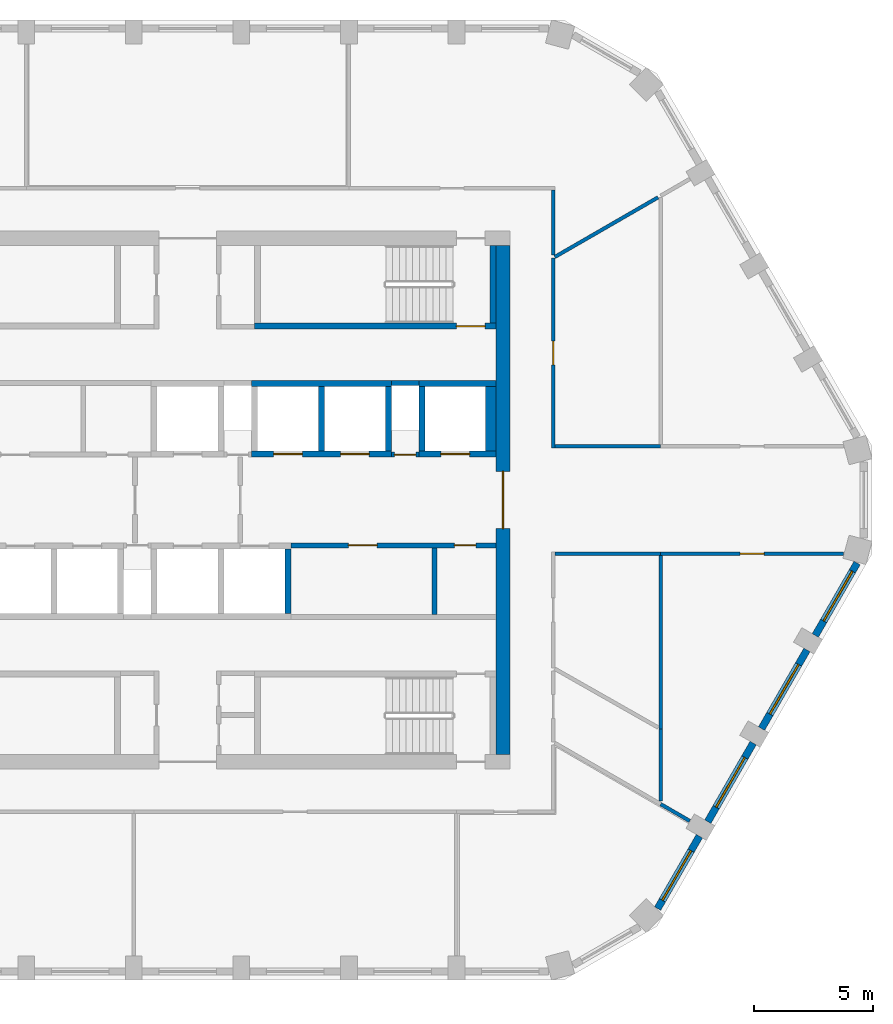
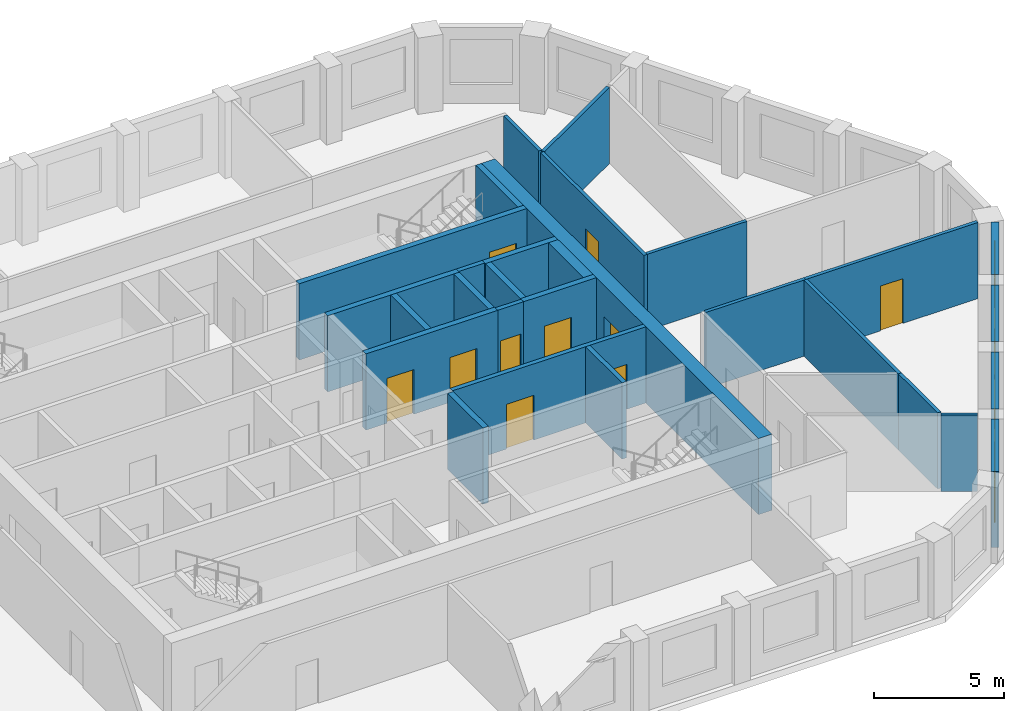
# One storey, part 5 of 10: 29 walls, 10 doors, 4 windows, 14 openings.
"""IFC4 building model written with IfcOpenShell, lengths in metres."""

from ifc_helpers import new_model, si_unit, direction, frame, frame_2d, origin, place, context, subcontext, project, spatial, polyline, rectangle, outline, extrude, material, layer, layer_set, type_object, element, fill, save


model = new_model("IFC4")

# Units and contexts
model_context = context("Model", 3, precision=1e-05, world=origin(), true_north=direction((0.0, 1.0)))
body_context = subcontext(model_context, "Body", "Model", "MODEL_VIEW")
ifc_project = project(units=[si_unit("LENGTHUNIT", "METRE"), si_unit("AREAUNIT", "SQUARE_METRE"), si_unit("VOLUMEUNIT", "CUBIC_METRE"), si_unit("PLANEANGLEUNIT", "RADIAN"), si_unit("MASSUNIT", "GRAM", prefix="KILO")], contexts=[model_context])

# Site, building, storey
site_placement = place(None, origin())
site = spatial("IfcSite", under=ifc_project, at=site_placement, CompositionType="ELEMENT")
building_placement = place(site_placement, origin())
building = spatial("IfcBuilding", under=site, at=building_placement, Name="Dhurran Vertical Campus", CompositionType="ELEMENT")
storey_placement = place(building_placement, frame((0.0, 0.0, 246.89990234375)))
storey = spatial("IfcBuildingStorey", under=building, at=storey_placement, Name="L61", CompositionType="ELEMENT", Elevation=246.89990234375)

# Wall, opening, window
ifc_material_1 = material(Name="Precast concrete C50/60", Category="concrete")
ifc_layer_1 = layer(ifc_material_1, 0.300048828125)
ifc_layer_set_1 = layer_set([ifc_layer_1], Name="Precast concrete C50/60")
wall_type_1 = type_object("IfcWallType", Name="Precast spandrel wall 300", PredefinedType="SOLIDWALL", material=ifc_layer_set_1)
wall_1_placement = place(storey_placement, frame((19.669921875, -17.09912109375, 0.0), z_axis=(0.0, 0.0, 1.0), x_axis=(0.499960102815, 0.866048437209, 0.0)))
wall_1 = element("IfcWall", 1, at=wall_1_placement, inside=storey, type_object=wall_type_1, Name="EW1 L61.08", PredefinedType="SOLIDWALL", context=body_context, shape_type="SweptSolid", body=[
    extrude(rectangle(XDim=3.497802734375, YDim=0.300048828125, at=frame_2d((1.7490234375, 0.0))), origin(), (0.0, 0.0, 1.0), 3.5751953125),
])
opening_1_placement = place(wall_1_placement, frame((0.398193359375, 0.0, 0.89990234375)))
opening_1 = element("IfcOpeningElement", 2, at=opening_1_placement, cuts=wall_1, Name="Opening WT1", PredefinedType="OPENING", context=body_context, shape_type="SweptSolid", body=[
    extrude(rectangle(XDim=2.39990234375, YDim=2.10009765625, at=frame_2d((1.199951171875, 1.050048828125))), frame((0.0, 0.159912109375, 0.0), z_axis=(0.0, -1.0, 0.0), x_axis=(1.0, 0.0, 0.0)), (0.0, 0.0, 1.0), 0.320068359375),
])
ifc_material_2 = material(Name="Aluminium frame with solar-control glass", Category="aluminium")
window_type = type_object("IfcWindowType", Name="Punched window 2400 x 2100", PartitioningType="SINGLE_PANEL", PredefinedType="WINDOW", material=ifc_material_2)
window_1_placement = place(opening_1_placement, origin())
window_1 = element("IfcWindow", 3, at=window_1_placement, inside=storey, type_object=window_type, Name="WT1 L61.08", OverallHeight=2.10009765625, OverallWidth=2.39990234375, PartitioningType="SINGLE_PANEL", PredefinedType="WINDOW", context=body_context, shape_type="SweptSolid", body=[
    extrude(rectangle(XDim=2.39990234375, YDim=2.10009765625, at=frame_2d((1.199951171875, 1.050048828125))), frame((0.0, 0.030029296875, 0.0), z_axis=(0.0, -1.0, 0.0), x_axis=(1.0, 0.0, 0.0)), (0.0, 0.0, 1.0), 0.06005859375),
])
fill(opening_1, window_1)

wall_2_placement = place(storey_placement, frame((21.769287109375, -13.462890625, 0.0), z_axis=(0.0, 0.0, 1.0), x_axis=(0.499982058975, 0.866035761792, 0.0)))
wall_2 = element("IfcWall", 4, at=wall_2_placement, inside=storey, type_object=wall_type_1, Name="EW1 L61.09", PredefinedType="SOLIDWALL", context=body_context, shape_type="SweptSolid", body=[
    extrude(rectangle(XDim=3.799072265625, YDim=0.300048828125, at=frame_2d((1.8994140625, 0.0))), origin(), (0.0, 0.0, 1.0), 3.5751953125),
])
opening_2_placement = place(wall_2_placement, frame((0.699462890625, 0.0, 0.89990234375)))
opening_2 = element("IfcOpeningElement", 5, at=opening_2_placement, cuts=wall_2, Name="Opening WT1", PredefinedType="OPENING", context=body_context, shape_type="SweptSolid", body=[
    extrude(rectangle(XDim=2.39990234375, YDim=2.10009765625, at=frame_2d((1.199951171875, 1.050048828125))), frame((0.0, 0.159912109375, 0.0), z_axis=(0.0, -1.0, 0.0), x_axis=(1.0, 0.0, 0.0)), (0.0, 0.0, 1.0), 0.320068359375),
])
window_2_placement = place(opening_2_placement, origin())
window_2 = element("IfcWindow", 6, at=window_2_placement, inside=storey, type_object=window_type, Name="WT1 L61.09", OverallHeight=2.10009765625, OverallWidth=2.39990234375, PartitioningType="SINGLE_PANEL", PredefinedType="WINDOW", context=body_context, shape_type="SweptSolid", body=[
    extrude(rectangle(XDim=2.39990234375, YDim=2.10009765625, at=frame_2d((1.199951171875, 1.050048828125))), frame((0.0, 0.030029296875, 0.0), z_axis=(0.0, -1.0, 0.0), x_axis=(1.0, 0.0, 0.0)), (0.0, 0.0, 1.0), 0.06005859375),
])
fill(opening_2, window_2)

wall_3_placement = place(storey_placement, frame((24.019287109375, -9.565673828125, 0.0), z_axis=(0.0, 0.0, 1.0), x_axis=(0.499982058975, 0.866035761792, 0.0)))
wall_3 = element("IfcWall", 7, at=wall_3_placement, inside=storey, type_object=wall_type_1, Name="EW1 L61.10", PredefinedType="SOLIDWALL", context=body_context, shape_type="SweptSolid", body=[
    extrude(rectangle(XDim=3.799072265625, YDim=0.300048828125, at=frame_2d((1.8994140625, 0.0))), origin(), (0.0, 0.0, 1.0), 3.5751953125),
])
opening_3_placement = place(wall_3_placement, frame((0.699462890625, 0.0, 0.89990234375)))
opening_3 = element("IfcOpeningElement", 8, at=opening_3_placement, cuts=wall_3, Name="Opening WT1", PredefinedType="OPENING", context=body_context, shape_type="SweptSolid", body=[
    extrude(rectangle(XDim=2.39990234375, YDim=2.10009765625, at=frame_2d((1.199951171875, 1.050048828125))), frame((0.0, 0.159912109375, 0.0), z_axis=(0.0, -1.0, 0.0), x_axis=(1.0, 0.0, 0.0)), (0.0, 0.0, 1.0), 0.320068359375),
])
window_3_placement = place(opening_3_placement, origin())
window_3 = element("IfcWindow", 9, at=window_3_placement, inside=storey, type_object=window_type, Name="WT1 L61.10", OverallHeight=2.10009765625, OverallWidth=2.39990234375, PartitioningType="SINGLE_PANEL", PredefinedType="WINDOW", context=body_context, shape_type="SweptSolid", body=[
    extrude(rectangle(XDim=2.39990234375, YDim=2.10009765625, at=frame_2d((1.199951171875, 1.050048828125))), frame((0.0, 0.030029296875, 0.0), z_axis=(0.0, -1.0, 0.0), x_axis=(1.0, 0.0, 0.0)), (0.0, 0.0, 1.0), 0.06005859375),
])
fill(opening_3, window_3)

wall_4_placement = place(storey_placement, frame((26.269287109375, -5.668701171875, 0.0), z_axis=(0.0, 0.0, 1.0), x_axis=(0.499990325971, 0.866030989016, 0.0)))
wall_4 = element("IfcWall", 10, at=wall_4_placement, inside=storey, type_object=wall_type_1, Name="EW1 L61.11", PredefinedType="SOLIDWALL", context=body_context, shape_type="SweptSolid", body=[
    extrude(rectangle(XDim=3.49755859375, YDim=0.300048828125, at=frame_2d((1.748779296875, 0.0))), origin(), (0.0, 0.0, 1.0), 3.5751953125),
])
opening_4_placement = place(wall_4_placement, frame((0.699462890625, 0.0, 0.89990234375)))
opening_4 = element("IfcOpeningElement", 11, at=opening_4_placement, cuts=wall_4, Name="Opening WT1", PredefinedType="OPENING", context=body_context, shape_type="SweptSolid", body=[
    extrude(rectangle(XDim=2.39990234375, YDim=2.10009765625, at=frame_2d((1.199951171875, 1.050048828125))), frame((0.0, 0.159912109375, 0.0), z_axis=(0.0, -1.0, 0.0), x_axis=(1.0, 0.0, 0.0)), (0.0, 0.0, 1.0), 0.320068359375),
])
window_4_placement = place(opening_4_placement, origin())
window_4 = element("IfcWindow", 12, at=window_4_placement, inside=storey, type_object=window_type, Name="WT1 L61.11", OverallHeight=2.10009765625, OverallWidth=2.39990234375, PartitioningType="SINGLE_PANEL", PredefinedType="WINDOW", context=body_context, shape_type="SweptSolid", body=[
    extrude(rectangle(XDim=2.39990234375, YDim=2.10009765625, at=frame_2d((1.199951171875, 1.050048828125))), frame((0.0, 0.030029296875, 0.0), z_axis=(0.0, -1.0, 0.0), x_axis=(1.0, 0.0, 0.0)), (0.0, 0.0, 1.0), 0.06005859375),
])
fill(opening_4, window_4)

# Wall, opening, door
ifc_material_3 = material(Name="Concrete C50/60", Category="concrete")
ifc_layer_2 = layer(ifc_material_3, 0.60009765625)
ifc_layer_set_2 = layer_set([ifc_layer_2], Name="Concrete C50/60")
wall_type_2 = type_object("IfcWallType", Name="co-CORE-WALL-C2-600", PredefinedType="SHEAR", material=ifc_layer_set_2)
wall_5_placement = place(storey_placement, frame((13.199951171875, -10.64990234375, 0.0), z_axis=(0.0, 0.0, 1.0), x_axis=(0.0, 1.0, 0.0)))
wall_5 = element("IfcWall", 13, at=wall_5_placement, inside=storey, type_object=wall_type_2, Name="Core wall E L61", PredefinedType="SHEAR", context=body_context, shape_type="SweptSolid", body=[
    extrude(rectangle(XDim=21.2998046875, YDim=0.60009765625, at=frame_2d((10.64990234375, 0.0))), origin(), (0.0, 0.0, 1.0), 3.5751953125),
])
opening_5_placement = place(wall_5_placement, frame((9.449951171875, 0.0, 0.0)))
opening_5 = element("IfcOpeningElement", 14, at=opening_5_placement, cuts=wall_5, Name="Opening CL2", PredefinedType="OPENING", context=body_context, shape_type="SweptSolid", body=[
    extrude(rectangle(XDim=2.39990234375, YDim=2.10009765625, at=frame_2d((1.199951171875, 1.050048828125))), frame((0.0, 0.31005859375, 0.0), z_axis=(0.0, -1.0, 0.0), x_axis=(1.0, 0.0, 0.0)), (0.0, 0.0, 1.0), 0.6201171875),
])
ifc_material_4 = material(Name="Fire-rated glazed door set")
door_type_1 = type_object("IfcDoorType", Name="co-D-LOBBY 2400x2100", OperationType="DOUBLE_DOOR_DOUBLE_SWING", PredefinedType="DOOR", material=ifc_material_4)
door_1_placement = place(opening_5_placement, origin())
door_1 = element("IfcDoor", 15, at=door_1_placement, inside=storey, type_object=door_type_1, Name="Lift lobby door E L61", OperationType="DOUBLE_DOOR_DOUBLE_SWING", OverallHeight=2.10009765625, OverallWidth=2.39990234375, PredefinedType="DOOR", context=body_context, shape_type="SweptSolid", body=[
    extrude(rectangle(XDim=2.39990234375, YDim=2.10009765625, at=frame_2d((1.199951171875, 1.050048828125))), frame((0.0, 0.02490234375, 0.0), z_axis=(0.0, -1.0, 0.0), x_axis=(1.0, 0.0, 0.0)), (0.0, 0.0, 1.0), 0.050048828125),
])
fill(opening_5, door_1)

ifc_material_5 = material(Name="Fire-rated masonry blockwork", Category="masonry")
ifc_layer_3 = layer(ifc_material_5, 0.199951171875)
ifc_layer_set_3 = layer_set([ifc_layer_3], Name="Fire-rated masonry blockwork")
wall_type_3 = type_object("IfcWallType", Name="co-FIRE-PARTITION-200", PredefinedType="PARTITIONING", material=ifc_layer_set_3)
wall_6_placement = place(storey_placement, frame((8.52490234375, 1.89990234375, 0.0), z_axis=(0.0, 0.0, 1.0), x_axis=(1.0, 0.0, 0.0)))
wall_6 = element("IfcWall", 16, at=wall_6_placement, inside=storey, type_object=wall_type_3, Name="Core partition fr-N2-f L61", PredefinedType="PARTITIONING", context=body_context, shape_type="SweptSolid", body=[
    extrude(rectangle(XDim=1.150146484375, YDim=0.199951171875, at=frame_2d((0.5751953125, 0.0))), origin(), (0.0, 0.0, 1.0), 3.5751953125),
])
opening_6_placement = place(wall_6_placement, frame((0.125, 0.0, 0.0)))
opening_6 = element("IfcOpeningElement", 17, at=opening_6_placement, cuts=wall_6, Name="Opening T18-C10", PredefinedType="OPENING", context=body_context, shape_type="SweptSolid", body=[
    extrude(rectangle(XDim=0.89990234375, YDim=2.10009765625, at=frame_2d((0.449951171875, 1.050048828125))), frame((0.0, 0.10986328125, 0.0), z_axis=(0.0, -1.0, 0.0), x_axis=(1.0, 0.0, 0.0)), (0.0, 0.0, 1.0), 0.219970703125),
])
ifc_material_6 = material(Name="Fire-rated timber door set", Category="wood")
door_type_2 = type_object("IfcDoorType", Name="co-D-ROOM 900x2100", OperationType="SINGLE_SWING_LEFT", PredefinedType="DOOR", material=ifc_material_6)
door_2_placement = place(opening_6_placement, origin())
door_2 = element("IfcDoor", 18, at=door_2_placement, inside=storey, type_object=door_type_2, Name="Electrical riser door L61", OperationType="SINGLE_SWING_LEFT", OverallHeight=2.10009765625, OverallWidth=0.89990234375, PredefinedType="DOOR", context=body_context, shape_type="SweptSolid", body=[
    extrude(rectangle(XDim=0.89990234375, YDim=2.10009765625, at=frame_2d((0.449951171875, 1.050048828125))), frame((0.0, 0.02490234375, 0.0), z_axis=(0.0, -1.0, 0.0), x_axis=(1.0, 0.0, 0.0)), (0.0, 0.0, 1.0), 0.050048828125),
])
fill(opening_6, door_2)

# Walls
wall_7_placement = place(storey_placement, frame((8.52490234375, 4.89990234375, 0.0), z_axis=(0.0, 0.0, 1.0), x_axis=(1.0, 0.0, 0.0)))
element("IfcWall", 19, at=wall_7_placement, inside=storey, type_object=wall_type_3, Name="Core partition fr-N2-b L61", PredefinedType="PARTITIONING", context=body_context, shape_type="SweptSolid", body=[
    extrude(rectangle(XDim=1.150146484375, YDim=0.199951171875, at=frame_2d((0.5751953125, 0.0))), origin(), (0.0, 0.0, 1.0), 3.5751953125),
])
wall_8_placement = place(storey_placement, frame((10.327392578125, -4.800048828125, 0.0), z_axis=(0.0, 0.0, 1.0), x_axis=(0.0, 1.0, 0.0)))
element("IfcWall", 20, at=wall_8_placement, inside=storey, type_object=wall_type_3, Name="Core partition fr-S2-cut0 L61", PredefinedType="PARTITIONING", context=body_context, shape_type="SweptSolid", body=[
    extrude(rectangle(XDim=2.800048828125, YDim=0.199951171875, at=frame_2d((1.39990234375, 0.0))), origin(), (0.0, 0.0, 1.0), 3.5751953125),
])

# Wall, openings, doors
wall_9_placement = place(storey_placement, frame((4.324951171875, -1.89990234375, 0.0), z_axis=(0.0, 0.0, 1.0), x_axis=(1.0, 0.0, 0.0)))
wall_9 = element("IfcWall", 21, at=wall_9_placement, inside=storey, type_object=wall_type_3, Name="Core partition fr-S2-f L61", PredefinedType="PARTITIONING", context=body_context, shape_type="SweptSolid", body=[
    extrude(rectangle(XDim=8.574951171875, YDim=0.199951171875, at=frame_2d((4.28759765625, 0.0))), origin(), (0.0, 0.0, 1.0), 3.5751953125),
])
opening_7_placement = place(wall_9_placement, frame((2.4013671875, 0.0, 0.0)))
opening_7 = element("IfcOpeningElement", 22, at=opening_7_placement, cuts=wall_9, Name="Opening T18-C13", PredefinedType="OPENING", context=body_context, shape_type="SweptSolid", body=[
    extrude(rectangle(XDim=1.199951171875, YDim=2.10009765625, at=frame_2d((0.60009765625, 1.050048828125))), frame((0.0, 0.10986328125, 0.0), z_axis=(0.0, -1.0, 0.0), x_axis=(1.0, 0.0, 0.0)), (0.0, 0.0, 1.0), 0.219970703125),
])
opening_8_placement = place(wall_9_placement, frame((6.8388671875, 0.0, 0.0)))
opening_8 = element("IfcOpeningElement", 23, at=opening_8_placement, cuts=wall_9, Name="Opening T18-C14", PredefinedType="OPENING", context=body_context, shape_type="SweptSolid", body=[
    extrude(rectangle(XDim=0.89990234375, YDim=2.10009765625, at=frame_2d((0.449951171875, 1.050048828125))), frame((0.0, 0.10986328125, 0.0), z_axis=(0.0, -1.0, 0.0), x_axis=(1.0, 0.0, 0.0)), (0.0, 0.0, 1.0), 0.219970703125),
])
door_3_placement = place(opening_8_placement, origin())
door_3 = element("IfcDoor", 24, at=door_3_placement, inside=storey, type_object=door_type_2, Name="Pantry door L61", OperationType="SINGLE_SWING_LEFT", OverallHeight=2.10009765625, OverallWidth=0.89990234375, PredefinedType="DOOR", context=body_context, shape_type="SweptSolid", body=[
    extrude(rectangle(XDim=0.89990234375, YDim=2.10009765625, at=frame_2d((0.449951171875, 1.050048828125))), frame((0.0, 0.02490234375, 0.0), z_axis=(0.0, -1.0, 0.0), x_axis=(1.0, 0.0, 0.0)), (0.0, 0.0, 1.0), 0.050048828125),
])
fill(opening_8, door_3)
ifc_material_7 = material(Name="Fire-rated steel door set", Category="steel")
door_type_3 = type_object("IfcDoorType", Name="co-D-ROOM-PASSAGE 1200x2100", OperationType="SINGLE_SWING_RIGHT", PredefinedType="DOOR", material=ifc_material_7)
door_4_placement = place(opening_7_placement, origin())
door_4 = element("IfcDoor", 25, at=door_4_placement, inside=storey, type_object=door_type_3, Name="Communications room door L61", OperationType="SINGLE_SWING_RIGHT", OverallHeight=2.10009765625, OverallWidth=1.199951171875, PredefinedType="DOOR", context=body_context, shape_type="SweptSolid", body=[
    extrude(rectangle(XDim=1.199951171875, YDim=2.10009765625, at=frame_2d((0.60009765625, 1.050048828125))), frame((0.0, 0.02490234375, 0.0), z_axis=(0.0, -1.0, 0.0), x_axis=(1.0, 0.0, 0.0)), (0.0, 0.0, 1.0), 0.050048828125),
])
fill(opening_7, door_4)

ifc_material_8 = material(Name="Concrete C50/60", Category="concrete")
ifc_layer_4 = layer(ifc_material_8, 0.25)
ifc_layer_set_4 = layer_set([ifc_layer_4], Name="Concrete C50/60")
wall_type_4 = type_object("IfcWallType", Name="co-SHAFT-FRONT-250", PredefinedType="SHEAR", material=ifc_layer_set_4)
wall_10_placement = place(storey_placement, frame((2.675048828125, 1.925048828125, 0.0), z_axis=(0.0, 0.0, 1.0), x_axis=(1.0, 0.0, 0.0)))
wall_10 = element("IfcWall", 26, at=wall_10_placement, inside=storey, type_object=wall_type_4, Name="Lift landing wall N L61", PredefinedType="SHEAR", context=body_context, shape_type="SweptSolid", body=[
    extrude(rectangle(XDim=5.849853515625, YDim=0.25, at=frame_2d((2.9248046875, 0.0))), origin(), (0.0, 0.0, 1.0), 3.5751953125),
])
opening_9_placement = place(wall_10_placement, frame((0.925048828125, 0.0, 0.0)))
opening_9 = element("IfcOpeningElement", 27, at=opening_9_placement, cuts=wall_10, Name="Opening LD", PredefinedType="OPENING", context=body_context, shape_type="SweptSolid", body=[
    extrude(rectangle(XDim=1.199951171875, YDim=2.10009765625, at=frame_2d((0.60009765625, 1.050048828125))), frame((0.0, 0.135009765625, 0.0), z_axis=(0.0, -1.0, 0.0), x_axis=(1.0, 0.0, 0.0)), (0.0, 0.0, 1.0), 0.27001953125),
])
opening_10_placement = place(wall_10_placement, frame((3.72509765625, 0.0, 0.0)))
opening_10 = element("IfcOpeningElement", 28, at=opening_10_placement, cuts=wall_10, Name="Opening LD", PredefinedType="OPENING", context=body_context, shape_type="SweptSolid", body=[
    extrude(rectangle(XDim=1.199951171875, YDim=2.10009765625, at=frame_2d((0.60009765625, 1.050048828125))), frame((0.0, 0.135009765625, 0.0), z_axis=(0.0, -1.0, 0.0), x_axis=(1.0, 0.0, 0.0)), (0.0, 0.0, 1.0), 0.27001953125),
])
ifc_material_9 = material(Name="Stainless steel landing door", Category="steel")
door_type_4 = type_object("IfcDoorType", Name="co-D-LANDING 1200x2100", OperationType="DOUBLE_DOOR_SLIDING", PredefinedType="DOOR", material=ifc_material_9)
door_5_placement = place(opening_9_placement, origin())
door_5 = element("IfcDoor", 29, at=door_5_placement, inside=storey, type_object=door_type_4, Name="Landing door HR1 L61", OperationType="DOUBLE_DOOR_SLIDING", OverallHeight=2.10009765625, OverallWidth=1.199951171875, PredefinedType="DOOR", context=body_context, shape_type="SweptSolid", body=[
    extrude(rectangle(XDim=1.199951171875, YDim=2.10009765625, at=frame_2d((0.60009765625, 1.050048828125))), frame((0.0, 0.02490234375, 0.0), z_axis=(0.0, -1.0, 0.0), x_axis=(1.0, 0.0, 0.0)), (0.0, 0.0, 1.0), 0.050048828125),
])
fill(opening_9, door_5)
door_6_placement = place(opening_10_placement, origin())
door_6 = element("IfcDoor", 30, at=door_6_placement, inside=storey, type_object=door_type_4, Name="Landing door HR2 L61", OperationType="DOUBLE_DOOR_SLIDING", OverallHeight=2.10009765625, OverallWidth=1.199951171875, PredefinedType="DOOR", context=body_context, shape_type="SweptSolid", body=[
    extrude(rectangle(XDim=1.199951171875, YDim=2.10009765625, at=frame_2d((0.60009765625, 1.050048828125))), frame((0.0, 0.02490234375, 0.0), z_axis=(0.0, -1.0, 0.0), x_axis=(1.0, 0.0, 0.0)), (0.0, 0.0, 1.0), 0.050048828125),
])
fill(opening_10, door_6)

# Wall, opening, door
wall_11_placement = place(storey_placement, frame((9.675048828125, 1.925048828125, 0.0), z_axis=(0.0, 0.0, 1.0), x_axis=(1.0, 0.0, 0.0)))
wall_11 = element("IfcWall", 31, at=wall_11_placement, inside=storey, type_object=wall_type_4, Name="Lift landing wall N L61", PredefinedType="SHEAR", context=body_context, shape_type="SweptSolid", body=[
    extrude(rectangle(XDim=3.224853515625, YDim=0.25, at=frame_2d((1.6123046875, 0.0))), origin(), (0.0, 0.0, 1.0), 3.5751953125),
])
opening_11_placement = place(wall_11_placement, frame((0.925048828125, 0.0, 0.0)))
opening_11 = element("IfcOpeningElement", 32, at=opening_11_placement, cuts=wall_11, Name="Opening LD", PredefinedType="OPENING", context=body_context, shape_type="SweptSolid", body=[
    extrude(rectangle(XDim=1.199951171875, YDim=2.10009765625, at=frame_2d((0.60009765625, 1.050048828125))), frame((0.0, 0.135009765625, 0.0), z_axis=(0.0, -1.0, 0.0), x_axis=(1.0, 0.0, 0.0)), (0.0, 0.0, 1.0), 0.27001953125),
])
door_7_placement = place(opening_11_placement, origin())
door_7 = element("IfcDoor", 33, at=door_7_placement, inside=storey, type_object=door_type_4, Name="Landing door SV2 L61", OperationType="DOUBLE_DOOR_SLIDING", OverallHeight=2.10009765625, OverallWidth=1.199951171875, PredefinedType="DOOR", context=body_context, shape_type="SweptSolid", body=[
    extrude(rectangle(XDim=1.199951171875, YDim=2.10009765625, at=frame_2d((0.60009765625, 1.050048828125))), frame((0.0, 0.02490234375, 0.0), z_axis=(0.0, -1.0, 0.0), x_axis=(1.0, 0.0, 0.0)), (0.0, 0.0, 1.0), 0.050048828125),
])
fill(opening_11, door_7)

# Walls
ifc_material_10 = material(Name="Concrete C50/60", Category="concrete")
ifc_layer_5 = layer(ifc_material_10, 0.25)
ifc_layer_set_5 = layer_set([ifc_layer_5], Name="Concrete C50/60")
wall_type_5 = type_object("IfcWallType", Name="co-SHAFT-MASS-250", PredefinedType="SHEAR", material=ifc_layer_set_5)
wall_12_placement = place(storey_placement, origin())
element("IfcWall", 34, at=wall_12_placement, inside=storey, type_object=wall_type_5, Name="Lift shaft wall N L61 2", PredefinedType="SHEAR", context=body_context, shape_type="SweptSolid", body=[
    extrude(outline(polyline([(2.675048828125, 4.75), (8.52490234375, 4.75), (8.52490234375, 5.0), (2.675048828125, 5.0), (2.675048828125, 4.75)])), origin(), (0.0, 0.0, 1.0), 3.5751953125),
])
wall_13_placement = place(storey_placement, origin())
element("IfcWall", 35, at=wall_13_placement, inside=storey, type_object=wall_type_5, Name="Lift shaft wall N L61 3", PredefinedType="SHEAR", context=body_context, shape_type="SweptSolid", body=[
    extrude(outline(polyline([(9.675048828125, 4.75), (12.89990234375, 4.75), (12.89990234375, 5.0), (9.675048828125, 5.0), (9.675048828125, 4.75)])), origin(), (0.0, 0.0, 1.0), 3.5751953125),
])
wall_14_placement = place(storey_placement, origin())
element("IfcWall", 36, at=wall_14_placement, inside=storey, type_object=wall_type_5, Name="Lift shaft wall N L61 7", PredefinedType="SHEAR", context=body_context, shape_type="SweptSolid", body=[
    extrude(outline(polyline([(5.47509765625, 2.050048828125), (5.72509765625, 2.050048828125), (5.72509765625, 4.75), (5.47509765625, 4.75), (5.47509765625, 2.050048828125)])), origin(), (0.0, 0.0, 1.0), 3.5751953125),
])
wall_15_placement = place(storey_placement, origin())
element("IfcWall", 37, at=wall_15_placement, inside=storey, type_object=wall_type_5, Name="Lift shaft wall N L61 8", PredefinedType="SHEAR", context=body_context, shape_type="SweptSolid", body=[
    extrude(outline(polyline([(8.27490234375, 2.050048828125), (8.52490234375, 2.050048828125), (8.52490234375, 4.75), (8.27490234375, 4.75), (8.27490234375, 2.050048828125)])), origin(), (0.0, 0.0, 1.0), 3.5751953125),
])
wall_16_placement = place(storey_placement, origin())
element("IfcWall", 38, at=wall_16_placement, inside=storey, type_object=wall_type_5, Name="Lift shaft wall N L61 9", PredefinedType="SHEAR", context=body_context, shape_type="SweptSolid", body=[
    extrude(outline(polyline([(9.675048828125, 2.050048828125), (9.925048828125, 2.050048828125), (9.925048828125, 4.75), (9.675048828125, 4.75), (9.675048828125, 2.050048828125)])), origin(), (0.0, 0.0, 1.0), 3.5751953125),
])
wall_17_placement = place(storey_placement, origin())
element("IfcWall", 39, at=wall_17_placement, inside=storey, type_object=wall_type_5, Name="Lift shaft wall N L61 10", PredefinedType="SHEAR", context=body_context, shape_type="SweptSolid", body=[
    extrude(outline(polyline([(12.47509765625, 2.050048828125), (12.89990234375, 2.050048828125), (12.89990234375, 4.75), (12.47509765625, 4.75), (12.47509765625, 2.050048828125)])), origin(), (0.0, 0.0, 1.0), 3.5751953125),
])
wall_18_placement = place(storey_placement, origin())
element("IfcWall", 40, at=wall_18_placement, inside=storey, type_object=wall_type_5, Name="Lift shaft wall S L61 9", PredefinedType="SHEAR", context=body_context, shape_type="SweptSolid", body=[
    extrude(outline(polyline([(4.074951171875, -4.75), (4.324951171875, -4.75), (4.324951171875, -2.050048828125), (4.074951171875, -2.050048828125), (4.074951171875, -4.75)])), origin(), (0.0, 0.0, 1.0), 3.5751953125),
])

# Wall, opening, door
ifc_material_11 = material(Name="Concrete C40/50", Category="concrete")
ifc_layer_6 = layer(ifc_material_11, 0.25)
ifc_layer_set_6 = layer_set([ifc_layer_6], Name="Concrete C40/50")
wall_type_6 = type_object("IfcWallType", Name="co-STAIR-WALL-250", PredefinedType="SHEAR", material=ifc_layer_set_6)
wall_19_placement = place(storey_placement, frame((2.800048828125, 7.27490234375, 0.0), z_axis=(0.0, 0.0, 1.0), x_axis=(1.0, 0.0, 0.0)))
wall_19 = element("IfcWall", 41, at=wall_19_placement, inside=storey, type_object=wall_type_6, Name="Stair ST2 enclosure wall L61", PredefinedType="SHEAR", context=body_context, shape_type="SweptSolid", body=[
    extrude(rectangle(XDim=10.099853515625, YDim=0.25, at=frame_2d((5.0498046875, 0.0))), origin(), (0.0, 0.0, 1.0), 3.5751953125),
])
opening_12_placement = place(wall_19_placement, frame((8.449951171875, 0.0, 0.0)))
opening_12 = element("IfcOpeningElement", 42, at=opening_12_placement, cuts=wall_19, Name="Opening SD2", PredefinedType="OPENING", context=body_context, shape_type="SweptSolid", body=[
    extrude(rectangle(XDim=1.199951171875, YDim=2.10009765625, at=frame_2d((0.60009765625, 1.050048828125))), frame((0.0, 0.135009765625, 0.0), z_axis=(0.0, -1.0, 0.0), x_axis=(1.0, 0.0, 0.0)), (0.0, 0.0, 1.0), 0.27001953125),
])
ifc_material_12 = material(Name="Fire-rated steel door set", Category="steel")
door_type_5 = type_object("IfcDoorType", Name="co-D-STAIR 1200x2100", OperationType="SINGLE_SWING_LEFT", PredefinedType="DOOR", material=ifc_material_12)
door_8_placement = place(opening_12_placement, origin())
door_8 = element("IfcDoor", 43, at=door_8_placement, inside=storey, type_object=door_type_5, Name="Stair ST2 door L61", OperationType="SINGLE_SWING_LEFT", OverallHeight=2.10009765625, OverallWidth=1.199951171875, PredefinedType="DOOR", context=body_context, shape_type="SweptSolid", body=[
    extrude(rectangle(XDim=1.199951171875, YDim=2.10009765625, at=frame_2d((0.60009765625, 1.050048828125))), frame((0.0, 0.02490234375, 0.0), z_axis=(0.0, -1.0, 0.0), x_axis=(1.0, 0.0, 0.0)), (0.0, 0.0, 1.0), 0.050048828125),
])
fill(opening_12, door_8)

# Walls
wall_20_placement = place(storey_placement, frame((12.77490234375, 7.39990234375, 0.0), z_axis=(0.0, 0.0, 1.0), x_axis=(0.0, 1.0, 0.0)))
element("IfcWall", 44, at=wall_20_placement, inside=storey, type_object=wall_type_6, Name="Stair ST2 enclosure wall L61", PredefinedType="SHEAR", context=body_context, shape_type="SweptSolid", body=[
    extrude(rectangle(XDim=3.25, YDim=0.25, at=frame_2d((1.625, 0.0))), origin(), (0.0, 0.0, 1.0), 3.5751953125),
])
ifc_material_13 = material(Name="Gypsum board corridor wall on steel studs", Category="steel")
ifc_layer_7 = layer(ifc_material_13, 0.14990234375)
ifc_layer_set_7 = layer_set([ifc_layer_7], Name="Gypsum board corridor wall on steel studs")
wall_type_7 = type_object("IfcWallType", Name="fl-CW-150 corridor wall", PredefinedType="PARTITIONING", material=ifc_layer_set_7)
wall_21_placement = place(storey_placement, frame((19.800048828125, -2.25, 0.0), z_axis=(0.0, 0.0, 1.0), x_axis=(-1.0, 0.0, 0.0)))
element("IfcWall", 45, at=wall_21_placement, inside=storey, type_object=wall_type_7, Name="Partition 61-25", PredefinedType="PARTITIONING", context=body_context, shape_type="SweptSolid", body=[
    extrude(rectangle(XDim=4.425048828125, YDim=0.14990234375, at=frame_2d((2.21240234375, 0.0))), origin(), (0.0, 0.0, 1.0), 3.5751953125),
])

# Wall, opening, door
wall_22_placement = place(storey_placement, frame((15.300048828125, 2.175048828125, 0.0), z_axis=(0.0, 0.0, 1.0), x_axis=(0.0, 1.0, 0.0)))
wall_22 = element("IfcWall", 46, at=wall_22_placement, inside=storey, type_object=wall_type_7, Name="Partition 61-26", PredefinedType="PARTITIONING", context=body_context, shape_type="SweptSolid", body=[
    extrude(rectangle(XDim=7.95703125, YDim=0.14990234375, at=frame_2d((3.978515625, 0.0))), origin(), (0.0, 0.0, 1.0), 3.5751953125),
])
opening_13_placement = place(wall_22_placement, frame((3.478515625, 0.0, 0.0)))
opening_13 = element("IfcOpeningElement", 47, at=opening_13_placement, cuts=wall_22, Name="Opening T18.11", PredefinedType="OPENING", context=body_context, shape_type="SweptSolid", body=[
    extrude(rectangle(XDim=1.0, YDim=2.10009765625, at=frame_2d((0.5, 1.050048828125))), frame((0.0, 0.0849609375, 0.0), z_axis=(0.0, -1.0, 0.0), x_axis=(1.0, 0.0, 0.0)), (0.0, 0.0, 1.0), 0.169921875),
])
ifc_material_14 = material(Name="Solid-core timber door set, fire-rated", Category="wood")
door_type_6 = type_object("IfcDoorType", Name="fl-D-1000x2100", OperationType="SINGLE_SWING_LEFT", PredefinedType="DOOR", material=ifc_material_14)
door_9_placement = place(opening_13_placement, origin())
door_9 = element("IfcDoor", 48, at=door_9_placement, inside=storey, type_object=door_type_6, Name="Door 61.11", OperationType="SINGLE_SWING_LEFT", OverallHeight=2.10009765625, OverallWidth=1.0, PredefinedType="DOOR", context=body_context, shape_type="SweptSolid", body=[
    extrude(rectangle(XDim=1.0, YDim=2.10009765625, at=frame_2d((0.5, 1.050048828125))), frame((0.0, 0.02490234375, 0.0), z_axis=(0.0, -1.0, 0.0), x_axis=(1.0, 0.0, 0.0)), (0.0, 0.0, 1.0), 0.050048828125),
])
fill(opening_13, door_9)

# Walls
wall_23_placement = place(storey_placement, frame((15.375, 2.25, 0.0), z_axis=(0.0, 0.0, 1.0), x_axis=(1.0, 0.0, 0.0)))
element("IfcWall", 49, at=wall_23_placement, inside=storey, type_object=wall_type_7, Name="Partition 61-27", PredefinedType="PARTITIONING", context=body_context, shape_type="SweptSolid", body=[
    extrude(rectangle(XDim=4.425048828125, YDim=0.14990234375, at=frame_2d((2.21240234375, 0.0))), origin(), (0.0, 0.0, 1.0), 3.5751953125),
])
wall_24_placement = place(storey_placement, frame((15.300048828125, 10.261962890625, 0.0), z_axis=(0.0, 0.0, 1.0), x_axis=(0.0, 1.0, 0.0)))
element("IfcWall", 50, at=wall_24_placement, inside=storey, type_object=wall_type_7, Name="Partition 61-28", PredefinedType="PARTITIONING", context=body_context, shape_type="SweptSolid", body=[
    extrude(rectangle(XDim=2.713134765625, YDim=0.14990234375, at=frame_2d((1.3564453125, 0.0))), origin(), (0.0, 0.0, 1.0), 3.5751953125),
])

# Wall, opening, door
wall_25_placement = place(storey_placement, frame((27.452392578125, -2.25, 0.0), z_axis=(0.0, 0.0, 1.0), x_axis=(-1.0, 0.0, 0.0)))
wall_25 = element("IfcWall", 51, at=wall_25_placement, inside=storey, type_object=wall_type_7, Name="Partition 61-33", PredefinedType="PARTITIONING", context=body_context, shape_type="SweptSolid", body=[
    extrude(rectangle(XDim=7.65234375, YDim=0.14990234375, at=frame_2d((3.826171875, 0.0))), origin(), (0.0, 0.0, 1.0), 3.5751953125),
])
opening_14_placement = place(wall_25_placement, frame((3.326171875, 0.0, 0.0)))
opening_14 = element("IfcOpeningElement", 52, at=opening_14_placement, cuts=wall_25, Name="Opening T18.13", PredefinedType="OPENING", context=body_context, shape_type="SweptSolid", body=[
    extrude(rectangle(XDim=1.0, YDim=2.10009765625, at=frame_2d((0.5, 1.050048828125))), frame((0.0, 0.0849609375, 0.0), z_axis=(0.0, -1.0, 0.0), x_axis=(1.0, 0.0, 0.0)), (0.0, 0.0, 1.0), 0.169921875),
])
door_10_placement = place(opening_14_placement, origin())
door_10 = element("IfcDoor", 53, at=door_10_placement, inside=storey, type_object=door_type_6, Name="Door 61.13", OperationType="SINGLE_SWING_LEFT", OverallHeight=2.10009765625, OverallWidth=1.0, PredefinedType="DOOR", context=body_context, shape_type="SweptSolid", body=[
    extrude(rectangle(XDim=1.0, YDim=2.10009765625, at=frame_2d((0.5, 1.050048828125))), frame((0.0, 0.02490234375, 0.0), z_axis=(0.0, -1.0, 0.0), x_axis=(1.0, 0.0, 0.0)), (0.0, 0.0, 1.0), 0.050048828125),
])
fill(opening_14, door_10)

# Walls
ifc_material_15 = material(Name="Gypsum board partition on steel studs", Category="steel")
ifc_layer_8 = layer(ifc_material_15, 0.14990234375)
ifc_layer_set_8 = layer_set([ifc_layer_8], Name="Gypsum board partition on steel studs")
wall_type_8 = type_object("IfcWallType", Name="fl-PW-150 fixed partition", PredefinedType="PARTITIONING", material=ifc_layer_set_8)
wall_26_placement = place(storey_placement, frame((19.6875, 12.6650390625, 0.0), z_axis=(0.0, 0.0, 1.0), x_axis=(-0.866025118187, -0.500000494669, 0.0)))
element("IfcWall", 54, at=wall_26_placement, inside=storey, type_object=wall_type_8, Name="Partition 61-29", PredefinedType="PARTITIONING", context=body_context, shape_type="SweptSolid", body=[
    extrude(rectangle(XDim=4.9912109375, YDim=0.14990234375, at=frame_2d((2.49560546875, 0.0))), origin(), (0.0, 0.0, 1.0), 3.5751953125),
])
wall_27_placement = place(storey_placement, frame((19.800048828125, -9.5830078125, 0.0), z_axis=(0.0, 0.0, 1.0), x_axis=(0.0, -1.0, 0.0)))
element("IfcWall", 55, at=wall_27_placement, inside=storey, type_object=wall_type_8, Name="Partition 61-30", PredefinedType="PARTITIONING", context=body_context, shape_type="SweptSolid", body=[
    extrude(rectangle(XDim=3.01708984375, YDim=0.14990234375, at=frame_2d((1.508544921875, 0.0))), origin(), (0.0, 0.0, 1.0), 3.5751953125),
])
wall_28_placement = place(storey_placement, frame((19.800048828125, -12.72998046875, 0.0), z_axis=(0.0, 0.0, 1.0), x_axis=(0.865918715181, -0.500184744569, 0.0)))
element("IfcWall", 56, at=wall_28_placement, inside=storey, type_object=wall_type_8, Name="Partition 61-31", PredefinedType="PARTITIONING", context=body_context, shape_type="SweptSolid", body=[
    extrude(rectangle(XDim=1.40185546875, YDim=0.14990234375, at=frame_2d((0.700927734375, 0.0))), origin(), (0.0, 0.0, 1.0), 3.5751953125),
])
wall_29_placement = place(storey_placement, frame((19.800048828125, -2.324951171875, 0.0), z_axis=(0.0, 0.0, 1.0), x_axis=(0.0, -1.0, 0.0)))
element("IfcWall", 57, at=wall_29_placement, inside=storey, type_object=wall_type_8, Name="Partition 61-32", PredefinedType="PARTITIONING", context=body_context, shape_type="SweptSolid", body=[
    extrude(rectangle(XDim=7.258056640625, YDim=0.14990234375, at=frame_2d((3.62890625, 0.0))), origin(), (0.0, 0.0, 1.0), 3.5751953125),
])

save(model, "model.ifc")
